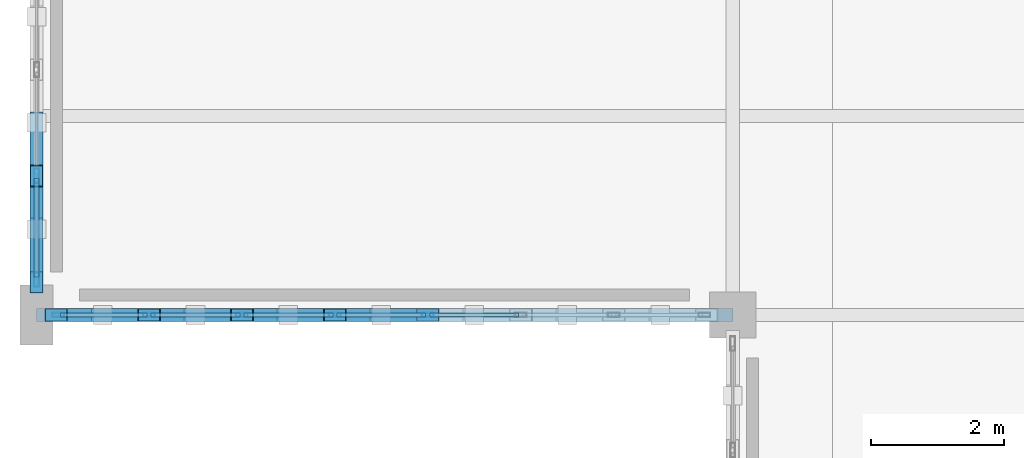
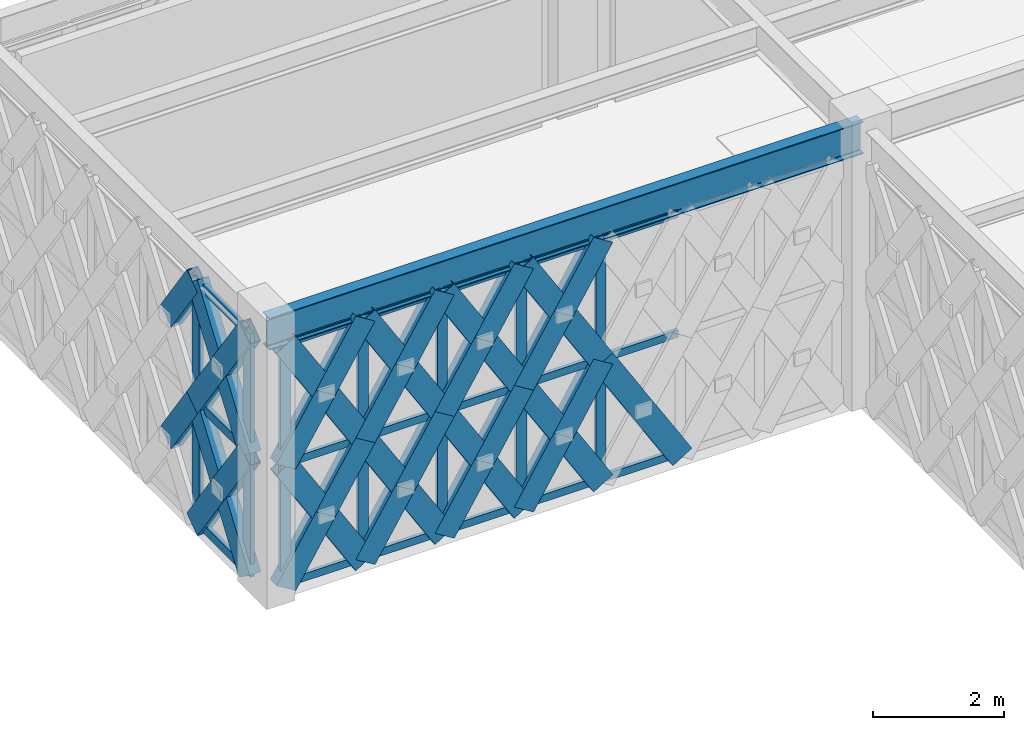
# One storey, part 4 of 72: 58 members, 1 beam, 2 elements without a shape of their own.
"""IFC4 building model written with IfcOpenShell, lengths in metres."""

from ifc_helpers import new_model, si_unit, direction, frame, origin, origin_2d, place, context, subcontext, project, spatial, hollow_rectangle, i_section, extrude, material, material_profile, profile_set, type_object, element, aggregate, save


model = new_model("IFC4")

# Units and contexts
model_context = context("Model", 3, precision=1e-05, world=origin(), true_north=direction((0.0, 1.0)))
body_context = subcontext(model_context, "Body", "Model", "MODEL_VIEW")
ifc_project = project(units=[si_unit("LENGTHUNIT", "METRE"), si_unit("AREAUNIT", "SQUARE_METRE"), si_unit("VOLUMEUNIT", "CUBIC_METRE"), si_unit("PLANEANGLEUNIT", "RADIAN"), si_unit("MASSUNIT", "GRAM", prefix="KILO")], contexts=[model_context])

# Site, building, storey
site_placement = place(None, origin())
site = spatial("IfcSite", under=ifc_project, at=site_placement, CompositionType="ELEMENT")
building_placement = place(site_placement, origin())
building = spatial("IfcBuilding", under=site, at=building_placement, Name="Haizhuo Lancet Aquarium", CompositionType="ELEMENT")
storey_placement = place(building_placement, frame((0.0, 0.0, 21.60009765625)))
storey = spatial("IfcBuildingStorey", under=building, at=storey_placement, Name="L04", CompositionType="ELEMENT", Elevation=21.60009765625)

# Beam
ifc_material_1 = material(Name="Steel S355", Category="steel")
ifc_material_profile_1 = material_profile(ifc_material_1, i_section(OverallWidth=0.199951171875, OverallDepth=0.60009765625, WebThickness=0.010986328125, FlangeThickness=0.01708984375, FilletRadius=0.02197265625, at=origin_2d()), Name="HN 600x200x11x17")
ifc_profile_set_1 = profile_set([ifc_material_profile_1], Name="Steel S355")
beam_type = type_object("IfcBeamType", Name="BM-ST-HN600", PredefinedType="BEAM", material=ifc_profile_set_1)
beam_placement = place(storey_placement, frame((-82.5, -18.0, 4.849853515625), z_axis=(1.0, 0.0, 0.0), x_axis=(0.0, 1.0, 0.0)))
element("IfcBeam", 1, at=beam_placement, inside=storey, type_object=beam_type, Name="L04 V6 primary girder BM-L04-V6-002", PredefinedType="BEAM", context=body_context, shape_type="SweptSolid", body=[
    extrude(i_section(OverallWidth=0.199951171875, OverallDepth=0.60009765625, WebThickness=0.010986328125, FlangeThickness=0.01708984375, FilletRadius=0.02197265625, at=origin_2d()), origin(), (0.0, 0.0, 1.0), 10.5),
])

# Curtain wall, members
ifc_material_2 = material(Name="Aluminium 6063-T6", Category="aluminium")
curtain_wall_type_1 = type_object("IfcCurtainWallType", Name="CWD-9810x4550", PredefinedType="NOTDEFINED", material=ifc_material_2)
curtain_wall_1_placement = place(storey_placement, origin())
curtain_wall_1 = element("IfcCurtainWall", 2, at=curtain_wall_1_placement, inside=storey, type_object=curtain_wall_type_1, Name="L04 curtain wall CW-V6-L04-244", PredefinedType="NOTDEFINED")
ifc_material_profile_2 = material_profile(ifc_material_2, hollow_rectangle(XDim=0.06494140625, YDim=0.179931640625, WallThickness=0.00390625, at=origin_2d()), Name="ALU-M 65x180x4")
ifc_profile_set_2 = profile_set([ifc_material_profile_2], Name="Aluminium 6063-T6")
member_type_1 = type_object("IfcMemberType", Name="CW-MUL-1", PredefinedType="MULLION", material=ifc_profile_set_2)
member_1_placement = place(storey_placement, frame((-76.59912109375, -18.0, 0.0), z_axis=(0.0, 0.0, 1.0), x_axis=(0.0, -1.0, 0.0)))
member_1 = element("IfcMember", 3, at=member_1_placement, type_object=member_type_1, Name="CWD-98x45 mullion 4", PredefinedType="MULLION", context=body_context, shape_type="SweptSolid", body=[
    extrude(hollow_rectangle(XDim=0.06494140625, YDim=0.179931640625, WallThickness=0.00390625, at=origin_2d()), origin(), (0.0, 0.0, 1.0), 4.5498046875),
])
member_2_placement = place(storey_placement, frame((-78.0009765625, -18.0, 0.0), z_axis=(0.0, 0.0, 1.0), x_axis=(0.0, -1.0, 0.0)))
member_2 = element("IfcMember", 4, at=member_2_placement, type_object=member_type_1, Name="CWD-98x45 mullion 5", PredefinedType="MULLION", context=body_context, shape_type="SweptSolid", body=[
    extrude(hollow_rectangle(XDim=0.06494140625, YDim=0.179931640625, WallThickness=0.00390625, at=origin_2d()), origin(), (0.0, 0.0, 1.0), 4.5498046875),
])
member_3_placement = place(storey_placement, frame((-79.402099609375, -18.0, 0.0), z_axis=(0.0, 0.0, 1.0), x_axis=(0.0, -1.0, 0.0)))
member_3 = element("IfcMember", 5, at=member_3_placement, type_object=member_type_1, Name="CWD-98x45 mullion 6", PredefinedType="MULLION", context=body_context, shape_type="SweptSolid", body=[
    extrude(hollow_rectangle(XDim=0.06494140625, YDim=0.179931640625, WallThickness=0.00390625, at=origin_2d()), origin(), (0.0, 0.0, 1.0), 4.5498046875),
])
member_4_placement = place(storey_placement, frame((-80.803955078125, -18.0, 0.0), z_axis=(0.0, 0.0, 1.0), x_axis=(0.0, -1.0, 0.0)))
member_4 = element("IfcMember", 6, at=member_4_placement, type_object=member_type_1, Name="CWD-98x45 mullion 7", PredefinedType="MULLION", context=body_context, shape_type="SweptSolid", body=[
    extrude(hollow_rectangle(XDim=0.06494140625, YDim=0.179931640625, WallThickness=0.00390625, at=origin_2d()), origin(), (0.0, 0.0, 1.0), 4.5498046875),
])
member_5_placement = place(storey_placement, frame((-82.172119140625, -18.0, 0.0), z_axis=(0.0, 0.0, 1.0), x_axis=(0.0, -1.0, 0.0)))
member_5 = element("IfcMember", 7, at=member_5_placement, type_object=member_type_1, Name="CWD-98x45 mullion 8", PredefinedType="MULLION", context=body_context, shape_type="SweptSolid", body=[
    extrude(hollow_rectangle(XDim=0.06494140625, YDim=0.179931640625, WallThickness=0.00390625, at=origin_2d()), origin(), (0.0, 0.0, 1.0), 4.5498046875),
])

curtain_wall_type_2 = type_object("IfcCurtainWallType", Name="CWD-8010x4550", PredefinedType="NOTDEFINED", material=ifc_material_2)
curtain_wall_2_placement = place(storey_placement, origin())
curtain_wall_2 = element("IfcCurtainWall", 8, at=curtain_wall_2_placement, inside=storey, type_object=curtain_wall_type_2, Name="L04 curtain wall CW-V6-L04-245", PredefinedType="NOTDEFINED")
ifc_material_profile_3 = material_profile(ifc_material_2, hollow_rectangle(XDim=0.074951171875, YDim=0.219970703125, WallThickness=0.0048828125, at=origin_2d()), Name="ALU-M 75x220x5")
ifc_profile_set_3 = profile_set([ifc_material_profile_3], Name="Aluminium 6063-T6")
member_type_2 = type_object("IfcMemberType", Name="CW-MUL-2", PredefinedType="MULLION", material=ifc_profile_set_3)
member_6_placement = place(storey_placement, frame((-82.5, -17.467041015625, 0.0), z_axis=(0.0, 0.0, 1.0), x_axis=(-1.0, 0.0, 0.0)))
member_6 = element("IfcMember", 9, at=member_6_placement, type_object=member_type_2, Name="CWD-80x45 mullion 1", PredefinedType="MULLION", context=body_context, shape_type="SweptSolid", body=[
    extrude(hollow_rectangle(XDim=0.074951171875, YDim=0.219970703125, WallThickness=0.0048828125, at=origin_2d()), origin(), (0.0, 0.0, 1.0), 4.5498046875),
])
member_7_placement = place(storey_placement, frame((-82.5, -15.903076171875, 0.0), z_axis=(0.0, 0.0, 1.0), x_axis=(-1.0, 0.0, 0.0)))
member_7 = element("IfcMember", 10, at=member_7_placement, type_object=member_type_2, Name="CWD-80x45 mullion 2", PredefinedType="MULLION", context=body_context, shape_type="SweptSolid", body=[
    extrude(hollow_rectangle(XDim=0.074951171875, YDim=0.219970703125, WallThickness=0.0048828125, at=origin_2d()), origin(), (0.0, 0.0, 1.0), 4.5498046875),
])

# Member
ifc_material_profile_4 = material_profile(ifc_material_2, hollow_rectangle(XDim=0.06494140625, YDim=0.139892578125, WallThickness=0.00390625, at=origin_2d()), Name="ALU-T 65x140x4")
ifc_profile_set_4 = profile_set([ifc_material_profile_4], Name="Aluminium 6063-T6")
member_type_3 = type_object("IfcMemberType", Name="CW-TRN-1", PredefinedType="NOTDEFINED", material=ifc_profile_set_4)
member_8_placement = place(storey_placement, frame((-75.22998046875, -18.0, 0.032958984375), z_axis=(-1.0, 0.0, 0.0), x_axis=(0.0, -1.0, 0.0)))
member_8 = element("IfcMember", 11, at=member_8_placement, type_object=member_type_3, Name="CWD-98x45 transom 3.1", ObjectType="TRANSOM", PredefinedType="USERDEFINED", context=body_context, shape_type="SweptSolid", body=[
    extrude(hollow_rectangle(XDim=0.06494140625, YDim=0.139892578125, WallThickness=0.00390625, at=origin_2d()), origin(), (0.0, 0.0, 1.0), 1.3369140625),
])

member_9_placement = place(storey_placement, frame((-75.22998046875, -18.0, 2.27490234375), z_axis=(-1.0, 0.0, 0.0), x_axis=(0.0, -1.0, 0.0)))
member_9 = element("IfcMember", 12, at=member_9_placement, type_object=member_type_3, Name="CWD-98x45 transom 3.2", ObjectType="TRANSOM", PredefinedType="USERDEFINED", context=body_context, shape_type="SweptSolid", body=[
    extrude(hollow_rectangle(XDim=0.06494140625, YDim=0.139892578125, WallThickness=0.00390625, at=origin_2d()), origin(), (0.0, 0.0, 1.0), 1.3369140625),
])

member_10_placement = place(storey_placement, frame((-75.22998046875, -18.0, 4.516845703125), z_axis=(-1.0, 0.0, 0.0), x_axis=(0.0, -1.0, 0.0)))
member_10 = element("IfcMember", 13, at=member_10_placement, type_object=member_type_3, Name="CWD-98x45 transom 3.3", ObjectType="TRANSOM", PredefinedType="USERDEFINED", context=body_context, shape_type="SweptSolid", body=[
    extrude(hollow_rectangle(XDim=0.06494140625, YDim=0.139892578125, WallThickness=0.00390625, at=origin_2d()), origin(), (0.0, 0.0, 1.0), 1.3369140625),
])

member_11_placement = place(storey_placement, frame((-76.632080078125, -18.0, 0.032958984375), z_axis=(-1.0, 0.0, 0.0), x_axis=(0.0, -1.0, 0.0)))
member_11 = element("IfcMember", 14, at=member_11_placement, type_object=member_type_3, Name="CWD-98x45 transom 4.1", ObjectType="TRANSOM", PredefinedType="USERDEFINED", context=body_context, shape_type="SweptSolid", body=[
    extrude(hollow_rectangle(XDim=0.06494140625, YDim=0.139892578125, WallThickness=0.00390625, at=origin_2d()), origin(), (0.0, 0.0, 1.0), 1.3359375),
])

member_12_placement = place(storey_placement, frame((-76.632080078125, -18.0, 2.27490234375), z_axis=(-1.0, 0.0, 0.0), x_axis=(0.0, -1.0, 0.0)))
member_12 = element("IfcMember", 15, at=member_12_placement, type_object=member_type_3, Name="CWD-98x45 transom 4.2", ObjectType="TRANSOM", PredefinedType="USERDEFINED", context=body_context, shape_type="SweptSolid", body=[
    extrude(hollow_rectangle(XDim=0.06494140625, YDim=0.139892578125, WallThickness=0.00390625, at=origin_2d()), origin(), (0.0, 0.0, 1.0), 1.3359375),
])

member_13_placement = place(storey_placement, frame((-76.632080078125, -18.0, 4.516845703125), z_axis=(-1.0, 0.0, 0.0), x_axis=(0.0, -1.0, 0.0)))
member_13 = element("IfcMember", 16, at=member_13_placement, type_object=member_type_3, Name="CWD-98x45 transom 4.3", ObjectType="TRANSOM", PredefinedType="USERDEFINED", context=body_context, shape_type="SweptSolid", body=[
    extrude(hollow_rectangle(XDim=0.06494140625, YDim=0.139892578125, WallThickness=0.00390625, at=origin_2d()), origin(), (0.0, 0.0, 1.0), 1.3359375),
])

member_14_placement = place(storey_placement, frame((-78.032958984375, -18.0, 0.032958984375), z_axis=(-1.0, 0.0, 0.0), x_axis=(0.0, -1.0, 0.0)))
member_14 = element("IfcMember", 17, at=member_14_placement, type_object=member_type_3, Name="CWD-98x45 transom 5.1", ObjectType="TRANSOM", PredefinedType="USERDEFINED", context=body_context, shape_type="SweptSolid", body=[
    extrude(hollow_rectangle(XDim=0.06494140625, YDim=0.139892578125, WallThickness=0.00390625, at=origin_2d()), origin(), (0.0, 0.0, 1.0), 1.337158203125),
])

member_15_placement = place(storey_placement, frame((-78.032958984375, -18.0, 2.27490234375), z_axis=(-1.0, 0.0, 0.0), x_axis=(0.0, -1.0, 0.0)))
member_15 = element("IfcMember", 18, at=member_15_placement, type_object=member_type_3, Name="CWD-98x45 transom 5.2", ObjectType="TRANSOM", PredefinedType="USERDEFINED", context=body_context, shape_type="SweptSolid", body=[
    extrude(hollow_rectangle(XDim=0.06494140625, YDim=0.139892578125, WallThickness=0.00390625, at=origin_2d()), origin(), (0.0, 0.0, 1.0), 1.337158203125),
])

member_16_placement = place(storey_placement, frame((-78.032958984375, -18.0, 4.516845703125), z_axis=(-1.0, 0.0, 0.0), x_axis=(0.0, -1.0, 0.0)))
member_16 = element("IfcMember", 19, at=member_16_placement, type_object=member_type_3, Name="CWD-98x45 transom 5.3", ObjectType="TRANSOM", PredefinedType="USERDEFINED", context=body_context, shape_type="SweptSolid", body=[
    extrude(hollow_rectangle(XDim=0.06494140625, YDim=0.139892578125, WallThickness=0.00390625, at=origin_2d()), origin(), (0.0, 0.0, 1.0), 1.337158203125),
])

member_17_placement = place(storey_placement, frame((-79.43505859375, -18.0, 0.032958984375), z_axis=(-1.0, 0.0, 0.0), x_axis=(0.0, -1.0, 0.0)))
member_17 = element("IfcMember", 20, at=member_17_placement, type_object=member_type_3, Name="CWD-98x45 transom 6.1", ObjectType="TRANSOM", PredefinedType="USERDEFINED", context=body_context, shape_type="SweptSolid", body=[
    extrude(hollow_rectangle(XDim=0.06494140625, YDim=0.139892578125, WallThickness=0.00390625, at=origin_2d()), origin(), (0.0, 0.0, 1.0), 1.3359375),
])

member_18_placement = place(storey_placement, frame((-79.43505859375, -18.0, 2.27490234375), z_axis=(-1.0, 0.0, 0.0), x_axis=(0.0, -1.0, 0.0)))
member_18 = element("IfcMember", 21, at=member_18_placement, type_object=member_type_3, Name="CWD-98x45 transom 6.2", ObjectType="TRANSOM", PredefinedType="USERDEFINED", context=body_context, shape_type="SweptSolid", body=[
    extrude(hollow_rectangle(XDim=0.06494140625, YDim=0.139892578125, WallThickness=0.00390625, at=origin_2d()), origin(), (0.0, 0.0, 1.0), 1.3359375),
])

member_19_placement = place(storey_placement, frame((-79.43505859375, -18.0, 4.516845703125), z_axis=(-1.0, 0.0, 0.0), x_axis=(0.0, -1.0, 0.0)))
member_19 = element("IfcMember", 22, at=member_19_placement, type_object=member_type_3, Name="CWD-98x45 transom 6.3", ObjectType="TRANSOM", PredefinedType="USERDEFINED", context=body_context, shape_type="SweptSolid", body=[
    extrude(hollow_rectangle(XDim=0.06494140625, YDim=0.139892578125, WallThickness=0.00390625, at=origin_2d()), origin(), (0.0, 0.0, 1.0), 1.3359375),
])

member_20_placement = place(storey_placement, frame((-80.8359375, -18.0, 0.032958984375), z_axis=(-1.0, 0.0, 0.0), x_axis=(0.0, -1.0, 0.0)))
member_20 = element("IfcMember", 23, at=member_20_placement, type_object=member_type_3, Name="CWD-98x45 transom 7.1", ObjectType="TRANSOM", PredefinedType="USERDEFINED", context=body_context, shape_type="SweptSolid", body=[
    extrude(hollow_rectangle(XDim=0.06494140625, YDim=0.139892578125, WallThickness=0.00390625, at=origin_2d()), origin(), (0.0, 0.0, 1.0), 1.303955078125),
])

member_21_placement = place(storey_placement, frame((-80.8359375, -18.0, 2.27490234375), z_axis=(-1.0, 0.0, 0.0), x_axis=(0.0, -1.0, 0.0)))
member_21 = element("IfcMember", 24, at=member_21_placement, type_object=member_type_3, Name="CWD-98x45 transom 7.2", ObjectType="TRANSOM", PredefinedType="USERDEFINED", context=body_context, shape_type="SweptSolid", body=[
    extrude(hollow_rectangle(XDim=0.06494140625, YDim=0.139892578125, WallThickness=0.00390625, at=origin_2d()), origin(), (0.0, 0.0, 1.0), 1.303955078125),
])

member_22_placement = place(storey_placement, frame((-80.8359375, -18.0, 4.516845703125), z_axis=(-1.0, 0.0, 0.0), x_axis=(0.0, -1.0, 0.0)))
member_22 = element("IfcMember", 25, at=member_22_placement, type_object=member_type_3, Name="CWD-98x45 transom 7.3", ObjectType="TRANSOM", PredefinedType="USERDEFINED", context=body_context, shape_type="SweptSolid", body=[
    extrude(hollow_rectangle(XDim=0.06494140625, YDim=0.139892578125, WallThickness=0.00390625, at=origin_2d()), origin(), (0.0, 0.0, 1.0), 1.303955078125),
])

aggregate(curtain_wall_1, [member_1, member_2, member_3, member_4, member_5, member_8, member_9, member_10, member_11, member_12, member_13, member_14, member_15, member_16, member_17, member_18, member_19, member_20, member_21, member_22])

ifc_material_profile_5 = material_profile(ifc_material_2, hollow_rectangle(XDim=0.074951171875, YDim=0.159912109375, WallThickness=0.00390625, at=origin_2d()), Name="ALU-T 75x160x4")
ifc_profile_set_5 = profile_set([ifc_material_profile_5], Name="Aluminium 6063-T6")
member_type_4 = type_object("IfcMemberType", Name="CW-TRN-2", PredefinedType="NOTDEFINED", material=ifc_profile_set_5)
member_23_placement = place(storey_placement, frame((-82.5, -17.429931640625, 0.037841796875), z_axis=(0.0, 1.0, 0.0), x_axis=(-1.0, 0.0, 0.0)))
member_23 = element("IfcMember", 26, at=member_23_placement, type_object=member_type_4, Name="CWD-80x45 transom 1.1", ObjectType="TRANSOM", PredefinedType="USERDEFINED", context=body_context, shape_type="SweptSolid", body=[
    extrude(hollow_rectangle(XDim=0.074951171875, YDim=0.159912109375, WallThickness=0.00390625, at=origin_2d()), origin(), (0.0, 0.0, 1.0), 1.489013671875),
])

member_24_placement = place(storey_placement, frame((-82.5, -17.429931640625, 2.27490234375), z_axis=(0.0, 1.0, 0.0), x_axis=(-1.0, 0.0, 0.0)))
member_24 = element("IfcMember", 27, at=member_24_placement, type_object=member_type_4, Name="CWD-80x45 transom 1.2", ObjectType="TRANSOM", PredefinedType="USERDEFINED", context=body_context, shape_type="SweptSolid", body=[
    extrude(hollow_rectangle(XDim=0.074951171875, YDim=0.159912109375, WallThickness=0.00390625, at=origin_2d()), origin(), (0.0, 0.0, 1.0), 1.489013671875),
])

member_25_placement = place(storey_placement, frame((-82.5, -17.429931640625, 4.511962890625), z_axis=(0.0, 1.0, 0.0), x_axis=(-1.0, 0.0, 0.0)))
member_25 = element("IfcMember", 28, at=member_25_placement, type_object=member_type_4, Name="CWD-80x45 transom 1.3", ObjectType="TRANSOM", PredefinedType="USERDEFINED", context=body_context, shape_type="SweptSolid", body=[
    extrude(hollow_rectangle(XDim=0.074951171875, YDim=0.159912109375, WallThickness=0.00390625, at=origin_2d()), origin(), (0.0, 0.0, 1.0), 1.489013671875),
])

aggregate(curtain_wall_2, [member_6, member_7, member_23, member_24, member_25])

# Members
ifc_material_profile_6 = material_profile(ifc_material_1, hollow_rectangle(XDim=0.199951171875, YDim=0.39990234375, WallThickness=0.011962890625, at=origin_2d()), Name="RHS 200x400x12")
ifc_profile_set_6 = profile_set([ifc_material_profile_6], Name="Steel S355")
member_type_5 = type_object("IfcMemberType", Name="MEM-LB-RHS200x400", PredefinedType="BRACE", material=ifc_profile_set_6)
member_26_placement = place(storey_placement, frame((-75.197998046875, -18.0, 0.0), z_axis=(-0.524418584171, 0.0, 0.851460597195), x_axis=(0.0, -1.0, 0.0)))
element("IfcMember", 29, at=member_26_placement, inside=storey, type_object=member_type_5, Name="Gothic lancet continuous diagonal brace CW-V6-L04-244 5A", PredefinedType="BRACE", context=body_context, shape_type="SweptSolid", body=[
    extrude(hollow_rectangle(XDim=0.199951171875, YDim=0.39990234375, WallThickness=0.011962890625, at=origin_2d()), origin(), (0.0, 0.0, 1.0), 2.671875),
])
member_27_placement = place(storey_placement, frame((-76.59912109375, -18.0, 0.0), z_axis=(-0.524617284487, 0.0, 0.851338184752), x_axis=(0.0, -1.0, 0.0)))
element("IfcMember", 30, at=member_27_placement, inside=storey, type_object=member_type_5, Name="Gothic lancet continuous diagonal brace CW-V6-L04-244 7A", PredefinedType="BRACE", context=body_context, shape_type="SweptSolid", body=[
    extrude(hollow_rectangle(XDim=0.199951171875, YDim=0.39990234375, WallThickness=0.011962890625, at=origin_2d()), origin(), (0.0, 0.0, 1.0), 2.672119140625),
])
member_28_placement = place(storey_placement, frame((-78.0009765625, -18.0, 0.0), z_axis=(0.524454101588, 0.0, 0.851438720829), x_axis=(0.0, 1.0, 0.0)))
element("IfcMember", 31, at=member_28_placement, inside=storey, type_object=member_type_5, Name="Gothic lancet split diagonal brace CW-V6-L04-244 7B1", PredefinedType="BRACE", context=body_context, shape_type="SweptSolid", body=[
    extrude(hollow_rectangle(XDim=0.199951171875, YDim=0.39990234375, WallThickness=0.011962890625, at=origin_2d()), origin(), (0.0, 0.0, 1.0), 1.33642578125),
])
member_29_placement = place(storey_placement, frame((-77.300048828125, -18.0, 1.137939453125), z_axis=(0.524780549669, 0.0, 0.851237554792), x_axis=(0.0, 1.0, 0.0)))
element("IfcMember", 32, at=member_29_placement, inside=storey, type_object=member_type_5, Name="Gothic lancet split diagonal brace CW-V6-L04-244 7B2", PredefinedType="BRACE", context=body_context, shape_type="SweptSolid", body=[
    extrude(hollow_rectangle(XDim=0.199951171875, YDim=0.39990234375, WallThickness=0.011962890625, at=origin_2d()), origin(), (0.0, 0.0, 1.0), 1.335693359375),
])
member_30_placement = place(storey_placement, frame((-76.59912109375, -18.0, 2.27490234375), z_axis=(-0.524617284487, 0.0, 0.851338184752), x_axis=(0.0, -1.0, 0.0)))
element("IfcMember", 33, at=member_30_placement, inside=storey, type_object=member_type_5, Name="Gothic lancet continuous diagonal brace CW-V6-L04-244 8A", PredefinedType="BRACE", context=body_context, shape_type="SweptSolid", body=[
    extrude(hollow_rectangle(XDim=0.199951171875, YDim=0.39990234375, WallThickness=0.011962890625, at=origin_2d()), origin(), (0.0, 0.0, 1.0), 2.672119140625),
])
member_31_placement = place(storey_placement, frame((-78.0009765625, -18.0, 2.27490234375), z_axis=(0.524780549669, 0.0, 0.851237554792), x_axis=(0.0, 1.0, 0.0)))
element("IfcMember", 34, at=member_31_placement, inside=storey, type_object=member_type_5, Name="Gothic lancet split diagonal brace CW-V6-L04-244 8B1", PredefinedType="BRACE", context=body_context, shape_type="SweptSolid", body=[
    extrude(hollow_rectangle(XDim=0.199951171875, YDim=0.39990234375, WallThickness=0.011962890625, at=origin_2d()), origin(), (0.0, 0.0, 1.0), 1.335693359375),
])
member_32_placement = place(storey_placement, frame((-77.300048828125, -18.0, 3.411865234375), z_axis=(0.524454101588, 0.0, 0.851438720829), x_axis=(0.0, 1.0, 0.0)))
element("IfcMember", 35, at=member_32_placement, inside=storey, type_object=member_type_5, Name="Gothic lancet split diagonal brace CW-V6-L04-244 8B2", PredefinedType="BRACE", context=body_context, shape_type="SweptSolid", body=[
    extrude(hollow_rectangle(XDim=0.199951171875, YDim=0.39990234375, WallThickness=0.011962890625, at=origin_2d()), origin(), (0.0, 0.0, 1.0), 1.33642578125),
])
member_33_placement = place(storey_placement, frame((-78.0009765625, -18.0, 0.0), z_axis=(-0.524418584171, 0.0, 0.851460597195), x_axis=(0.0, -1.0, 0.0)))
element("IfcMember", 36, at=member_33_placement, inside=storey, type_object=member_type_5, Name="Gothic lancet continuous diagonal brace CW-V6-L04-244 9A", PredefinedType="BRACE", context=body_context, shape_type="SweptSolid", body=[
    extrude(hollow_rectangle(XDim=0.199951171875, YDim=0.39990234375, WallThickness=0.011962890625, at=origin_2d()), origin(), (0.0, 0.0, 1.0), 2.671875),
])
member_34_placement = place(storey_placement, frame((-79.402099609375, -18.0, 0.0), z_axis=(0.524056645131, 0.0, 0.851683411072), x_axis=(0.0, 1.0, 0.0)))
element("IfcMember", 37, at=member_34_placement, inside=storey, type_object=member_type_5, Name="Gothic lancet split diagonal brace CW-V6-L04-244 9B1", PredefinedType="BRACE", context=body_context, shape_type="SweptSolid", body=[
    extrude(hollow_rectangle(XDim=0.199951171875, YDim=0.39990234375, WallThickness=0.011962890625, at=origin_2d()), origin(), (0.0, 0.0, 1.0), 1.336181640625),
])
member_35_placement = place(storey_placement, frame((-78.701904296875, -18.0, 1.137939453125), z_axis=(0.524780549669, 0.0, 0.851237554792), x_axis=(0.0, 1.0, 0.0)))
element("IfcMember", 38, at=member_35_placement, inside=storey, type_object=member_type_5, Name="Gothic lancet split diagonal brace CW-V6-L04-244 9B2", PredefinedType="BRACE", context=body_context, shape_type="SweptSolid", body=[
    extrude(hollow_rectangle(XDim=0.199951171875, YDim=0.39990234375, WallThickness=0.011962890625, at=origin_2d()), origin(), (0.0, 0.0, 1.0), 1.335693359375),
])
member_36_placement = place(storey_placement, frame((-78.0009765625, -18.0, 2.27490234375), z_axis=(-0.524418584171, 0.0, 0.851460597195), x_axis=(0.0, -1.0, 0.0)))
element("IfcMember", 39, at=member_36_placement, inside=storey, type_object=member_type_5, Name="Gothic lancet continuous diagonal brace CW-V6-L04-244 10A", PredefinedType="BRACE", context=body_context, shape_type="SweptSolid", body=[
    extrude(hollow_rectangle(XDim=0.199951171875, YDim=0.39990234375, WallThickness=0.011962890625, at=origin_2d()), origin(), (0.0, 0.0, 1.0), 2.671875),
])
member_37_placement = place(storey_placement, frame((-79.402099609375, -18.0, 2.27490234375), z_axis=(0.524383033506, 0.0, 0.851482491993), x_axis=(0.0, 1.0, 0.0)))
element("IfcMember", 40, at=member_37_placement, inside=storey, type_object=member_type_5, Name="Gothic lancet split diagonal brace CW-V6-L04-244 10B1", PredefinedType="BRACE", context=body_context, shape_type="SweptSolid", body=[
    extrude(hollow_rectangle(XDim=0.199951171875, YDim=0.39990234375, WallThickness=0.011962890625, at=origin_2d()), origin(), (0.0, 0.0, 1.0), 1.335205078125),
])
member_38_placement = place(storey_placement, frame((-78.701904296875, -18.0, 3.411865234375), z_axis=(0.524454101588, 0.0, 0.851438720829), x_axis=(0.0, 1.0, 0.0)))
element("IfcMember", 41, at=member_38_placement, inside=storey, type_object=member_type_5, Name="Gothic lancet split diagonal brace CW-V6-L04-244 10B2", PredefinedType="BRACE", context=body_context, shape_type="SweptSolid", body=[
    extrude(hollow_rectangle(XDim=0.199951171875, YDim=0.39990234375, WallThickness=0.011962890625, at=origin_2d()), origin(), (0.0, 0.0, 1.0), 1.33642578125),
])
member_39_placement = place(storey_placement, frame((-79.402099609375, -18.0, 0.0), z_axis=(-0.524617284487, 0.0, 0.851338184752), x_axis=(0.0, -1.0, 0.0)))
element("IfcMember", 42, at=member_39_placement, inside=storey, type_object=member_type_5, Name="Gothic lancet continuous diagonal brace CW-V6-L04-244 11A", PredefinedType="BRACE", context=body_context, shape_type="SweptSolid", body=[
    extrude(hollow_rectangle(XDim=0.199951171875, YDim=0.39990234375, WallThickness=0.011962890625, at=origin_2d()), origin(), (0.0, 0.0, 1.0), 2.672119140625),
])
member_40_placement = place(storey_placement, frame((-80.803955078125, -18.0, 0.0), z_axis=(0.524454101588, 0.0, 0.851438720829), x_axis=(0.0, 1.0, 0.0)))
element("IfcMember", 43, at=member_40_placement, inside=storey, type_object=member_type_5, Name="Gothic lancet split diagonal brace CW-V6-L04-244 11B1", PredefinedType="BRACE", context=body_context, shape_type="SweptSolid", body=[
    extrude(hollow_rectangle(XDim=0.199951171875, YDim=0.39990234375, WallThickness=0.011962890625, at=origin_2d()), origin(), (0.0, 0.0, 1.0), 1.33642578125),
])
member_41_placement = place(storey_placement, frame((-80.10302734375, -18.0, 1.137939453125), z_axis=(0.524780549669, 0.0, 0.851237554792), x_axis=(0.0, 1.0, 0.0)))
element("IfcMember", 44, at=member_41_placement, inside=storey, type_object=member_type_5, Name="Gothic lancet split diagonal brace CW-V6-L04-244 11B2", PredefinedType="BRACE", context=body_context, shape_type="SweptSolid", body=[
    extrude(hollow_rectangle(XDim=0.199951171875, YDim=0.39990234375, WallThickness=0.011962890625, at=origin_2d()), origin(), (0.0, 0.0, 1.0), 1.335693359375),
])
member_42_placement = place(storey_placement, frame((-79.402099609375, -18.0, 2.27490234375), z_axis=(-0.524617284487, 0.0, 0.851338184752), x_axis=(0.0, -1.0, 0.0)))
element("IfcMember", 45, at=member_42_placement, inside=storey, type_object=member_type_5, Name="Gothic lancet continuous diagonal brace CW-V6-L04-244 12A", PredefinedType="BRACE", context=body_context, shape_type="SweptSolid", body=[
    extrude(hollow_rectangle(XDim=0.199951171875, YDim=0.39990234375, WallThickness=0.011962890625, at=origin_2d()), origin(), (0.0, 0.0, 1.0), 2.672119140625),
])
member_43_placement = place(storey_placement, frame((-80.803955078125, -18.0, 2.27490234375), z_axis=(0.524780549669, 0.0, 0.851237554792), x_axis=(0.0, 1.0, 0.0)))
element("IfcMember", 46, at=member_43_placement, inside=storey, type_object=member_type_5, Name="Gothic lancet split diagonal brace CW-V6-L04-244 12B1", PredefinedType="BRACE", context=body_context, shape_type="SweptSolid", body=[
    extrude(hollow_rectangle(XDim=0.199951171875, YDim=0.39990234375, WallThickness=0.011962890625, at=origin_2d()), origin(), (0.0, 0.0, 1.0), 1.335693359375),
])
member_44_placement = place(storey_placement, frame((-80.10302734375, -18.0, 3.411865234375), z_axis=(0.524454101588, 0.0, 0.851438720829), x_axis=(0.0, 1.0, 0.0)))
element("IfcMember", 47, at=member_44_placement, inside=storey, type_object=member_type_5, Name="Gothic lancet split diagonal brace CW-V6-L04-244 12B2", PredefinedType="BRACE", context=body_context, shape_type="SweptSolid", body=[
    extrude(hollow_rectangle(XDim=0.199951171875, YDim=0.39990234375, WallThickness=0.011962890625, at=origin_2d()), origin(), (0.0, 0.0, 1.0), 1.33642578125),
])
member_45_placement = place(storey_placement, frame((-80.803955078125, -18.0, 0.0), z_axis=(-0.524418584171, 0.0, 0.851460597195), x_axis=(0.0, -1.0, 0.0)))
element("IfcMember", 48, at=member_45_placement, inside=storey, type_object=member_type_5, Name="Gothic lancet continuous diagonal brace CW-V6-L04-244 13A", PredefinedType="BRACE", context=body_context, shape_type="SweptSolid", body=[
    extrude(hollow_rectangle(XDim=0.199951171875, YDim=0.39990234375, WallThickness=0.011962890625, at=origin_2d()), origin(), (0.0, 0.0, 1.0), 2.671875),
])
member_46_placement = place(storey_placement, frame((-82.205078125, -18.0, 0.0), z_axis=(0.524056645131, 0.0, 0.851683411072), x_axis=(0.0, 1.0, 0.0)))
element("IfcMember", 49, at=member_46_placement, inside=storey, type_object=member_type_5, Name="Gothic lancet split diagonal brace CW-V6-L04-244 13B1", PredefinedType="BRACE", context=body_context, shape_type="SweptSolid", body=[
    extrude(hollow_rectangle(XDim=0.199951171875, YDim=0.39990234375, WallThickness=0.011962890625, at=origin_2d()), origin(), (0.0, 0.0, 1.0), 1.336181640625),
])
member_47_placement = place(storey_placement, frame((-81.5048828125, -18.0, 1.137939453125), z_axis=(0.524780549669, 0.0, 0.851237554792), x_axis=(0.0, 1.0, 0.0)))
element("IfcMember", 50, at=member_47_placement, inside=storey, type_object=member_type_5, Name="Gothic lancet split diagonal brace CW-V6-L04-244 13B2", PredefinedType="BRACE", context=body_context, shape_type="SweptSolid", body=[
    extrude(hollow_rectangle(XDim=0.199951171875, YDim=0.39990234375, WallThickness=0.011962890625, at=origin_2d()), origin(), (0.0, 0.0, 1.0), 1.335693359375),
])
member_48_placement = place(storey_placement, frame((-80.803955078125, -18.0, 2.27490234375), z_axis=(-0.524418584171, 0.0, 0.851460597195), x_axis=(0.0, -1.0, 0.0)))
element("IfcMember", 51, at=member_48_placement, inside=storey, type_object=member_type_5, Name="Gothic lancet continuous diagonal brace CW-V6-L04-244 14A", PredefinedType="BRACE", context=body_context, shape_type="SweptSolid", body=[
    extrude(hollow_rectangle(XDim=0.199951171875, YDim=0.39990234375, WallThickness=0.011962890625, at=origin_2d()), origin(), (0.0, 0.0, 1.0), 2.671875),
])
member_49_placement = place(storey_placement, frame((-82.205078125, -18.0, 2.27490234375), z_axis=(0.524383033506, 0.0, 0.851482491993), x_axis=(0.0, 1.0, 0.0)))
element("IfcMember", 52, at=member_49_placement, inside=storey, type_object=member_type_5, Name="Gothic lancet split diagonal brace CW-V6-L04-244 14B1", PredefinedType="BRACE", context=body_context, shape_type="SweptSolid", body=[
    extrude(hollow_rectangle(XDim=0.199951171875, YDim=0.39990234375, WallThickness=0.011962890625, at=origin_2d()), origin(), (0.0, 0.0, 1.0), 1.335205078125),
])
member_50_placement = place(storey_placement, frame((-81.5048828125, -18.0, 3.411865234375), z_axis=(0.524454101588, 0.0, 0.851438720829), x_axis=(0.0, 1.0, 0.0)))
element("IfcMember", 53, at=member_50_placement, inside=storey, type_object=member_type_5, Name="Gothic lancet split diagonal brace CW-V6-L04-244 14B2", PredefinedType="BRACE", context=body_context, shape_type="SweptSolid", body=[
    extrude(hollow_rectangle(XDim=0.199951171875, YDim=0.39990234375, WallThickness=0.011962890625, at=origin_2d()), origin(), (0.0, 0.0, 1.0), 1.33642578125),
])
member_51_placement = place(storey_placement, frame((-82.5, -17.5048828125, 0.0), z_axis=(0.0, 0.575721611836, 0.817645782516), x_axis=(-1.0, 0.0, 0.0)))
element("IfcMember", 54, at=member_51_placement, inside=storey, type_object=member_type_5, Name="Gothic lancet continuous diagonal brace CW-V6-L04-245 1A", PredefinedType="BRACE", context=body_context, shape_type="SweptSolid", body=[
    extrude(hollow_rectangle(XDim=0.199951171875, YDim=0.39990234375, WallThickness=0.011962890625, at=origin_2d()), origin(), (0.0, 0.0, 1.0), 2.7822265625),
])
member_52_placement = place(storey_placement, frame((-82.5, -15.903076171875, 0.0), z_axis=(0.0, -0.575615080373, 0.817720783182), x_axis=(1.0, 0.0, 0.0)))
element("IfcMember", 55, at=member_52_placement, inside=storey, type_object=member_type_5, Name="Gothic lancet split diagonal brace CW-V6-L04-245 1B1", PredefinedType="BRACE", context=body_context, shape_type="SweptSolid", body=[
    extrude(hollow_rectangle(XDim=0.199951171875, YDim=0.39990234375, WallThickness=0.011962890625, at=origin_2d()), origin(), (0.0, 0.0, 1.0), 1.3916015625),
])
member_53_placement = place(storey_placement, frame((-82.5, -16.7041015625, 1.137939453125), z_axis=(0.0, -0.575828205451, 0.817570717313), x_axis=(1.0, 0.0, 0.0)))
element("IfcMember", 56, at=member_53_placement, inside=storey, type_object=member_type_5, Name="Gothic lancet split diagonal brace CW-V6-L04-245 1B2", PredefinedType="BRACE", context=body_context, shape_type="SweptSolid", body=[
    extrude(hollow_rectangle(XDim=0.199951171875, YDim=0.39990234375, WallThickness=0.011962890625, at=origin_2d()), origin(), (0.0, 0.0, 1.0), 1.390625),
])
member_54_placement = place(storey_placement, frame((-82.5, -17.5048828125, 2.27490234375), z_axis=(0.0, 0.575721611836, 0.817645782516), x_axis=(-1.0, 0.0, 0.0)))
element("IfcMember", 57, at=member_54_placement, inside=storey, type_object=member_type_5, Name="Gothic lancet continuous diagonal brace CW-V6-L04-245 2A", PredefinedType="BRACE", context=body_context, shape_type="SweptSolid", body=[
    extrude(hollow_rectangle(XDim=0.199951171875, YDim=0.39990234375, WallThickness=0.011962890625, at=origin_2d()), origin(), (0.0, 0.0, 1.0), 2.7822265625),
])
member_55_placement = place(storey_placement, frame((-82.5, -15.903076171875, 2.27490234375), z_axis=(0.0, -0.575945534052, 0.817488068296), x_axis=(1.0, 0.0, 0.0)))
element("IfcMember", 58, at=member_55_placement, inside=storey, type_object=member_type_5, Name="Gothic lancet split diagonal brace CW-V6-L04-245 2B1", PredefinedType="BRACE", context=body_context, shape_type="SweptSolid", body=[
    extrude(hollow_rectangle(XDim=0.199951171875, YDim=0.39990234375, WallThickness=0.011962890625, at=origin_2d()), origin(), (0.0, 0.0, 1.0), 1.390869140625),
])
member_56_placement = place(storey_placement, frame((-82.5, -16.7041015625, 3.411865234375), z_axis=(0.0, -0.57549775234, 0.817803360871), x_axis=(1.0, 0.0, 0.0)))
element("IfcMember", 59, at=member_56_placement, inside=storey, type_object=member_type_5, Name="Gothic lancet split diagonal brace CW-V6-L04-245 2B2", PredefinedType="BRACE", context=body_context, shape_type="SweptSolid", body=[
    extrude(hollow_rectangle(XDim=0.199951171875, YDim=0.39990234375, WallThickness=0.011962890625, at=origin_2d()), origin(), (0.0, 0.0, 1.0), 1.391357421875),
])
member_57_placement = place(storey_placement, frame((-82.5, -15.10205078125, 1.137939453125), z_axis=(0.0, -0.575945534052, 0.817488068296), x_axis=(1.0, 0.0, 0.0)))
element("IfcMember", 60, at=member_57_placement, inside=storey, type_object=member_type_5, Name="Gothic lancet split diagonal brace CW-V6-L04-245 3B2", PredefinedType="BRACE", context=body_context, shape_type="SweptSolid", body=[
    extrude(hollow_rectangle(XDim=0.199951171875, YDim=0.39990234375, WallThickness=0.011962890625, at=origin_2d()), origin(), (0.0, 0.0, 1.0), 1.390869140625),
])
member_58_placement = place(storey_placement, frame((-82.5, -15.10205078125, 3.411865234375), z_axis=(0.0, -0.575615080373, 0.817720783182), x_axis=(1.0, 0.0, 0.0)))
element("IfcMember", 61, at=member_58_placement, inside=storey, type_object=member_type_5, Name="Gothic lancet split diagonal brace CW-V6-L04-245 4B2", PredefinedType="BRACE", context=body_context, shape_type="SweptSolid", body=[
    extrude(hollow_rectangle(XDim=0.199951171875, YDim=0.39990234375, WallThickness=0.011962890625, at=origin_2d()), origin(), (0.0, 0.0, 1.0), 1.3916015625),
])

save(model, "model.ifc")
